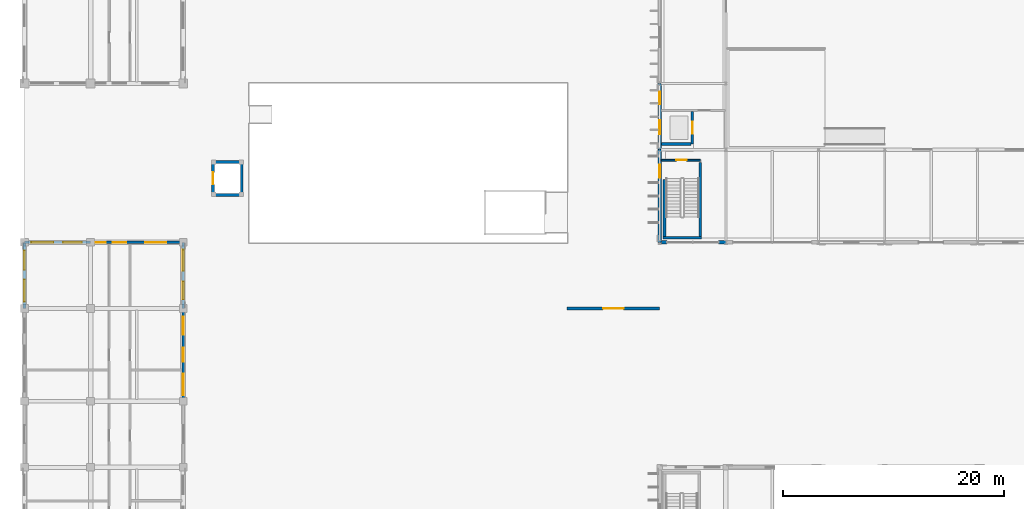
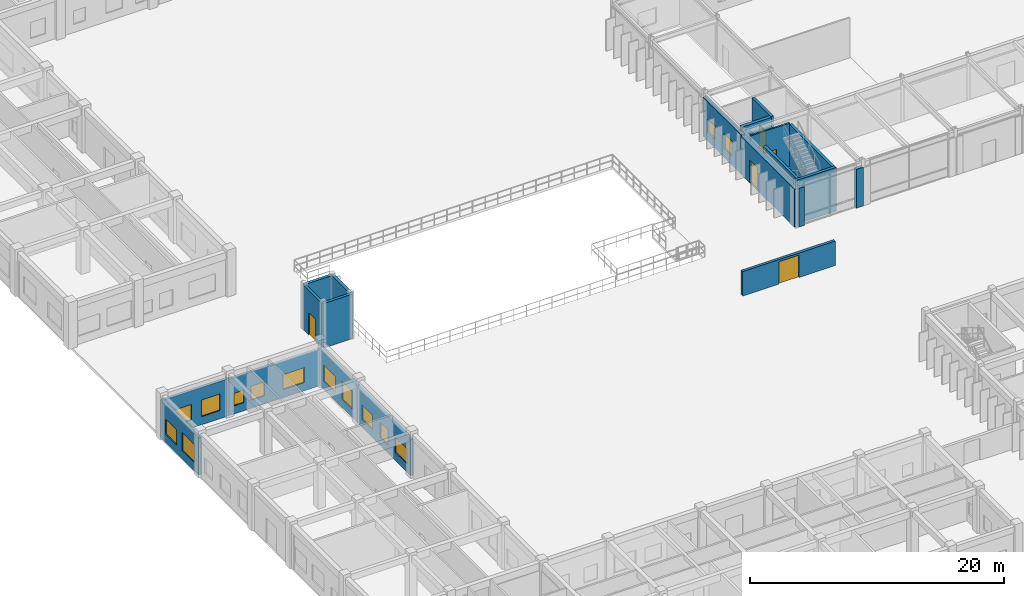
# One storey, part 30 of 67: 20 walls, 14 windows, 5 doors, 19 openings.
"""IFC4 building model written with IfcOpenShell, lengths in metres."""

from ifc_helpers import new_model, si_unit, direction, frame, frame_2d, origin, place, context, subcontext, project, spatial, rectangle, extrude, material, layer, layer_set, type_object, element, fill, save


model = new_model("IFC4")

# Units and contexts
model_context = context("Model", 3, precision=1e-05, world=origin(), true_north=direction((0.0, 1.0)))
body_context = subcontext(model_context, "Body", "Model", "MODEL_VIEW")
ifc_project = project(units=[si_unit("LENGTHUNIT", "METRE"), si_unit("AREAUNIT", "SQUARE_METRE"), si_unit("VOLUMEUNIT", "CUBIC_METRE"), si_unit("PLANEANGLEUNIT", "RADIAN"), si_unit("MASSUNIT", "GRAM", prefix="KILO"), si_unit("THERMODYNAMICTEMPERATUREUNIT", "KELVIN")], contexts=[model_context])

# Site, building, storey
site_placement = place(None, origin())
site = spatial("IfcSite", under=ifc_project, at=site_placement, CompositionType="ELEMENT")
building_placement = place(site_placement, origin())
building = spatial("IfcBuilding", under=site, at=building_placement, Name="Thalorik Housing Commons", CompositionType="ELEMENT")
storey_placement = place(building_placement, origin())
storey = spatial("IfcBuildingStorey", under=building, at=storey_placement, Name="L00", CompositionType="ELEMENT", Elevation=0.0)

# Walls
ifc_material_1 = material(Name="Concrete C40/50", Category="concrete")
ifc_layer_1 = layer(ifc_material_1, 0.25, Name="Concrete C40/50", Category="concrete")
ifc_layer_set_1 = layer_set([ifc_layer_1], Name="Concrete C40/50")
wall_type_1 = type_object("IfcWallType", Name="ARC-WAL-CORE-250", PredefinedType="SHEAR", material=ifc_layer_set_1)
wall_1_placement = place(storey_placement, frame((66.425048828125, 63.300048828125, 0.0), z_axis=(0.0, 0.0, 1.0), x_axis=(0.0, -1.0, 0.0)))
element("IfcWall", 1, at=wall_1_placement, inside=storey, type_object=wall_type_1, Name="L00 Stair ST-H1 Structural Support Wall L", PredefinedType="SHEAR", context=body_context, shape_type="SweptSolid", body=[
    extrude(rectangle(XDim=5.150146484375, YDim=0.25, at=frame_2d((2.5751953125, 0.0))), origin(), (0.0, 0.0, 1.0), 4.199951171875),
])
wall_2_placement = place(storey_placement, frame((69.675048828125, 64.85009765625, 0.0), z_axis=(0.0, 0.0, 1.0), x_axis=(0.0, -1.0, 0.0)))
element("IfcWall", 2, at=wall_2_placement, inside=storey, type_object=wall_type_1, Name="L00 Stair ST-H1 Structural Support Wall R", PredefinedType="SHEAR", context=body_context, shape_type="SweptSolid", body=[
    extrude(rectangle(XDim=6.7001953125, YDim=0.25, at=frame_2d((3.35009765625, 0.0))), origin(), (0.0, 0.0, 1.0), 4.199951171875),
])
wall_3_placement = place(storey_placement, frame((66.300048828125, 58.02490234375, 0.0), z_axis=(0.0, 0.0, 1.0), x_axis=(1.0, 0.0, 0.0)))
element("IfcWall", 3, at=wall_3_placement, inside=storey, type_object=wall_type_1, Name="L00 Stair ST-H1 Structural Support Wall F", PredefinedType="SHEAR", context=body_context, shape_type="SweptSolid", body=[
    extrude(rectangle(XDim=3.5, YDim=0.25, at=frame_2d((1.75, 0.0))), origin(), (0.0, 0.0, 1.0), 4.199951171875),
])

# Wall, opening, door
wall_4_placement = place(storey_placement, frame((68.949951171875, 66.5, 0.0), z_axis=(0.0, 0.0, 1.0), x_axis=(0.0, 1.0, 0.0)))
wall_4 = element("IfcWall", 4, at=wall_4_placement, inside=storey, type_object=wall_type_1, Name="L00 Lift LP-H1 Front Wall", PredefinedType="SHEAR", context=body_context, shape_type="SweptSolid", body=[
    extrude(rectangle(XDim=2.97412109375, YDim=0.25, at=frame_2d((1.487060546875, 0.0))), origin(), (0.0, 0.0, 1.0), 4.199951171875),
])
opening_1_placement = place(wall_4_placement, frame((0.949951171875, 0.0, 0.0)))
opening_1 = element("IfcOpeningElement", 5, at=opening_1_placement, cuts=wall_4, Name="Opening LD-LP-H1-L00", PredefinedType="OPENING", context=body_context, shape_type="SweptSolid", body=[
    extrude(rectangle(XDim=1.10009765625, YDim=2.14990234375, at=frame_2d((0.550048828125, 1.074951171875))), frame((0.0, 0.135009765625, 0.0), z_axis=(0.0, -1.0, 0.0), x_axis=(1.0, 0.0, 0.0)), (0.0, 0.0, 1.0), 0.27001953125),
])
ifc_material_2 = material(Name="Steel S355", Category="steel")
door_type_1 = type_object("IfcDoorType", Name="ARC-DR-LIFT-1100", OperationType="NOTDEFINED", PredefinedType="DOOR", material=ifc_material_2)
door_1_placement = place(opening_1_placement, origin())
door_1 = element("IfcDoor", 6, at=door_1_placement, inside=storey, type_object=door_type_1, Name="L00 Lift LP-H1 Landing Door", OperationType="SLIDING_TO_LEFT", OverallHeight=2.14990234375, OverallWidth=1.10009765625, PredefinedType="DOOR", context=body_context, shape_type="SweptSolid", body=[
    extrude(rectangle(XDim=1.10009765625, YDim=2.14990234375, at=frame_2d((0.550048828125, 1.074951171875))), frame((0.0, 0.02490234375, 0.0), z_axis=(0.0, -1.0, 0.0), x_axis=(1.0, 0.0, 0.0)), (0.0, 0.0, 1.0), 0.050048828125),
])
fill(opening_1, door_1)

# Wall
ifc_layer_2 = layer(ifc_material_1, 0.300048828125, Name="Concrete C40/50", Category="concrete")
ifc_layer_set_2 = layer_set([ifc_layer_2], Name="Concrete C40/50")
wall_type_2 = type_object("IfcWallType", Name="ARC-WAL-CORE-300", PredefinedType="SHEAR", material=ifc_layer_set_2)
wall_5_placement = place(storey_placement, frame((66.139892578125, 66.52001953125, 0.0), z_axis=(0.0, 0.0, 1.0), x_axis=(1.0, 0.0, 0.0)))
element("IfcWall", 7, at=wall_5_placement, inside=storey, type_object=wall_type_2, Name="L00 Lift LP-H1 South Shaft Wall", PredefinedType="SHEAR", context=body_context, shape_type="SweptSolid", body=[
    extrude(rectangle(XDim=2.68017578125, YDim=0.300048828125, at=frame_2d((1.340087890625, 0.0))), origin(), (0.0, 0.0, 1.0), 4.199951171875),
])

# Wall, openings, windows
ifc_material_3 = material(Name="White precast concrete C40/50", Category="concrete")
ifc_layer_3 = layer(ifc_material_3, 0.2451171875, Name="White precast concrete C40/50", Category="concrete")
ifc_layer_set_3 = layer_set([ifc_layer_3], Name="White precast concrete C40/50")
wall_type_3 = type_object("IfcWallType", Name="ARC-WAL-EXT-245", PredefinedType="STANDARD", material=ifc_layer_set_3)
wall_6_placement = place(storey_placement, frame((22.800048828125, 43.199951171875, 0.0), z_axis=(0.0, 0.0, 1.0), x_axis=(0.0, 1.0, 0.0)))
wall_6 = element("IfcWall", 8, at=wall_6_placement, inside=storey, type_object=wall_type_3, Name="L00 Exterior Wall WAL-EXT-L00-C-0824", PredefinedType="STANDARD", context=body_context, shape_type="SweptSolid", body=[
    extrude(rectangle(XDim=8.400146484375, YDim=0.2451171875, at=frame_2d((4.2001953125, 0.0))), origin(), (0.0, 0.0, 1.0), 3.485107421875),
])
opening_2_placement = place(wall_6_placement, frame((0.550048828125, 0.0, 0.780029296875)))
opening_2 = element("IfcOpeningElement", 9, at=opening_2_placement, cuts=wall_6, Name="Opening W-60", PredefinedType="OPENING", context=body_context, shape_type="SweptSolid", body=[
    extrude(rectangle(XDim=1.919921875, YDim=1.43994140625, at=frame_2d((0.9599609375, 0.719970703125))), frame((0.0, 0.132568359375, 0.0), z_axis=(0.0, -1.0, 0.0), x_axis=(1.0, 0.0, 0.0)), (0.0, 0.0, 1.0), 0.26513671875),
])
opening_3_placement = place(wall_6_placement, frame((3.5849609375, 0.0, 0.780029296875)))
opening_3 = element("IfcOpeningElement", 10, at=opening_3_placement, cuts=wall_6, Name="Opening W-47", PredefinedType="OPENING", context=body_context, shape_type="SweptSolid", body=[
    extrude(rectangle(XDim=1.25, YDim=1.449951171875, at=frame_2d((0.625, 0.72509765625))), frame((0.0, 0.132568359375, 0.0), z_axis=(0.0, -1.0, 0.0), x_axis=(1.0, 0.0, 0.0)), (0.0, 0.0, 1.0), 0.26513671875),
])
opening_4_placement = place(wall_6_placement, frame((6.02001953125, 0.0, 0.780029296875)))
opening_4 = element("IfcOpeningElement", 11, at=opening_4_placement, cuts=wall_6, Name="Opening W-54", PredefinedType="OPENING", context=body_context, shape_type="SweptSolid", body=[
    extrude(rectangle(XDim=1.6201171875, YDim=1.3798828125, at=frame_2d((0.81005859375, 0.68994140625))), frame((0.0, 0.132568359375, 0.0), z_axis=(0.0, -1.0, 0.0), x_axis=(1.0, 0.0, 0.0)), (0.0, 0.0, 1.0), 0.26513671875),
])
ifc_material_4 = material(Name="Anodised aluminium and solar-control low-E glass", Category="aluminium")
window_type_1 = type_object("IfcWindowType", Name="ARC-WIN-47", PartitioningType="SINGLE_PANEL", PredefinedType="WINDOW", material=ifc_material_4)
window_1_placement = place(opening_3_placement, origin())
window_1 = element("IfcWindow", 12, at=window_1_placement, inside=storey, type_object=window_type_1, Name="L00 Facade Window 1526", OverallHeight=1.449951171875, OverallWidth=1.25, PartitioningType="SINGLE_PANEL", PredefinedType="WINDOW", context=body_context, shape_type="SweptSolid", body=[
    extrude(rectangle(XDim=1.25, YDim=1.449951171875, at=frame_2d((0.625, 0.72509765625))), frame((0.0, 0.030029296875, 0.0), z_axis=(0.0, -1.0, 0.0), x_axis=(1.0, 0.0, 0.0)), (0.0, 0.0, 1.0), 0.06005859375),
])
fill(opening_3, window_1)
window_type_2 = type_object("IfcWindowType", Name="ARC-WIN-54", PartitioningType="DOUBLE_PANEL_VERTICAL", PredefinedType="WINDOW", material=ifc_material_4)
window_2_placement = place(opening_4_placement, origin())
window_2 = element("IfcWindow", 13, at=window_2_placement, inside=storey, type_object=window_type_2, Name="L00 Facade Window 1527", OverallHeight=1.3798828125, OverallWidth=1.6201171875, PartitioningType="DOUBLE_PANEL_VERTICAL", PredefinedType="WINDOW", context=body_context, shape_type="SweptSolid", body=[
    extrude(rectangle(XDim=1.6201171875, YDim=1.3798828125, at=frame_2d((0.81005859375, 0.68994140625))), frame((0.0, 0.030029296875, 0.0), z_axis=(0.0, -1.0, 0.0), x_axis=(1.0, 0.0, 0.0)), (0.0, 0.0, 1.0), 0.06005859375),
])
fill(opening_4, window_2)
window_type_3 = type_object("IfcWindowType", Name="ARC-WIN-60", PartitioningType="DOUBLE_PANEL_VERTICAL", PredefinedType="WINDOW", material=ifc_material_4)
window_3_placement = place(opening_2_placement, origin())
window_3 = element("IfcWindow", 14, at=window_3_placement, inside=storey, type_object=window_type_3, Name="L00 Facade Window 1525", OverallHeight=1.43994140625, OverallWidth=1.919921875, PartitioningType="DOUBLE_PANEL_VERTICAL", PredefinedType="WINDOW", context=body_context, shape_type="SweptSolid", body=[
    extrude(rectangle(XDim=1.919921875, YDim=1.43994140625, at=frame_2d((0.9599609375, 0.719970703125))), frame((0.0, 0.030029296875, 0.0), z_axis=(0.0, -1.0, 0.0), x_axis=(1.0, 0.0, 0.0)), (0.0, 0.0, 1.0), 0.06005859375),
])
fill(opening_2, window_3)

wall_7_placement = place(storey_placement, frame((22.800048828125, 51.60009765625, 0.0), z_axis=(0.0, 0.0, 1.0), x_axis=(0.0, 1.0, 0.0)))
wall_7 = element("IfcWall", 15, at=wall_7_placement, inside=storey, type_object=wall_type_3, Name="L00 Exterior Wall WAL-EXT-L00-C-0825", PredefinedType="STANDARD", context=body_context, shape_type="SweptSolid", body=[
    extrude(rectangle(XDim=6.0, YDim=0.2451171875, at=frame_2d((3.0, 0.0))), origin(), (0.0, 0.0, 1.0), 3.5849609375),
])
opening_5_placement = place(wall_7_placement, frame((0.830078125, 0.0, 0.780029296875)))
opening_5 = element("IfcOpeningElement", 16, at=opening_5_placement, cuts=wall_7, Name="Opening W-14", PredefinedType="OPENING", context=body_context, shape_type="SweptSolid", body=[
    extrude(rectangle(XDim=1.60009765625, YDim=1.75, at=frame_2d((0.800048828125, 0.875))), frame((0.0, 0.132568359375, 0.0), z_axis=(0.0, -1.0, 0.0), x_axis=(1.0, 0.0, 0.0)), (0.0, 0.0, 1.0), 0.26513671875),
])
opening_6_placement = place(wall_7_placement, frame((3.419921875, 0.0, 0.780029296875)))
opening_6 = element("IfcOpeningElement", 17, at=opening_6_placement, cuts=wall_7, Name="Opening W-21", PredefinedType="OPENING", context=body_context, shape_type="SweptSolid", body=[
    extrude(rectangle(XDim=1.89990234375, YDim=1.550048828125, at=frame_2d((0.949951171875, 0.77490234375))), frame((0.0, 0.132568359375, 0.0), z_axis=(0.0, -1.0, 0.0), x_axis=(1.0, 0.0, 0.0)), (0.0, 0.0, 1.0), 0.26513671875),
])
window_type_4 = type_object("IfcWindowType", Name="ARC-WIN-14", PartitioningType="DOUBLE_PANEL_VERTICAL", PredefinedType="WINDOW", material=ifc_material_4)
window_4_placement = place(opening_5_placement, origin())
window_4 = element("IfcWindow", 18, at=window_4_placement, inside=storey, type_object=window_type_4, Name="L00 Facade Window 1528", OverallHeight=1.75, OverallWidth=1.60009765625, PartitioningType="DOUBLE_PANEL_VERTICAL", PredefinedType="WINDOW", context=body_context, shape_type="SweptSolid", body=[
    extrude(rectangle(XDim=1.60009765625, YDim=1.75, at=frame_2d((0.800048828125, 0.875))), frame((0.0, 0.030029296875, 0.0), z_axis=(0.0, -1.0, 0.0), x_axis=(1.0, 0.0, 0.0)), (0.0, 0.0, 1.0), 0.06005859375),
])
fill(opening_5, window_4)
window_type_5 = type_object("IfcWindowType", Name="ARC-WIN-21", PartitioningType="DOUBLE_PANEL_VERTICAL", PredefinedType="WINDOW", material=ifc_material_4)
window_5_placement = place(opening_6_placement, origin())
window_5 = element("IfcWindow", 19, at=window_5_placement, inside=storey, type_object=window_type_5, Name="L00 Facade Window 1529", OverallHeight=1.550048828125, OverallWidth=1.89990234375, PartitioningType="DOUBLE_PANEL_VERTICAL", PredefinedType="WINDOW", context=body_context, shape_type="SweptSolid", body=[
    extrude(rectangle(XDim=1.89990234375, YDim=1.550048828125, at=frame_2d((0.949951171875, 0.77490234375))), frame((0.0, 0.030029296875, 0.0), z_axis=(0.0, -1.0, 0.0), x_axis=(1.0, 0.0, 0.0)), (0.0, 0.0, 1.0), 0.06005859375),
])
fill(opening_6, window_5)

wall_8_placement = place(storey_placement, frame((22.800048828125, 57.60009765625, 0.0), z_axis=(0.0, 0.0, 1.0), x_axis=(-1.0, 0.0, 0.0)))
wall_8 = element("IfcWall", 20, at=wall_8_placement, inside=storey, type_object=wall_type_3, Name="L00 Exterior Wall WAL-EXT-L00-C-0826", PredefinedType="STANDARD", context=body_context, shape_type="SweptSolid", body=[
    extrude(rectangle(XDim=8.400146484375, YDim=0.2451171875, at=frame_2d((4.2001953125, 0.0))), origin(), (0.0, 0.0, 1.0), 3.485107421875),
])
opening_7_placement = place(wall_8_placement, frame((1.544921875, 0.0, 0.780029296875)))
opening_7 = element("IfcOpeningElement", 21, at=opening_7_placement, cuts=wall_8, Name="Opening W-60", PredefinedType="OPENING", context=body_context, shape_type="SweptSolid", body=[
    extrude(rectangle(XDim=1.919921875, YDim=1.43994140625, at=frame_2d((0.9599609375, 0.719970703125))), frame((0.0, 0.132568359375, 0.0), z_axis=(0.0, -1.0, 0.0), x_axis=(1.0, 0.0, 0.0)), (0.0, 0.0, 1.0), 0.26513671875),
])
opening_8_placement = place(wall_8_placement, frame((5.169921875, 0.0, 0.780029296875)))
opening_8 = element("IfcOpeningElement", 22, at=opening_8_placement, cuts=wall_8, Name="Opening W-04", PredefinedType="OPENING", context=body_context, shape_type="SweptSolid", body=[
    extrude(rectangle(XDim=1.199951171875, YDim=1.35009765625, at=frame_2d((0.60009765625, 0.675048828125))), frame((0.0, 0.132568359375, 0.0), z_axis=(0.0, -1.0, 0.0), x_axis=(1.0, 0.0, 0.0)), (0.0, 0.0, 1.0), 0.26513671875),
])
opening_9_placement = place(wall_8_placement, frame((7.014892578125, 0.0, 0.780029296875)))
opening_9 = element("IfcOpeningElement", 23, at=opening_9_placement, cuts=wall_8, Name="Opening W-01", PredefinedType="OPENING", context=body_context, shape_type="SweptSolid", body=[
    extrude(rectangle(XDim=0.89990234375, YDim=1.199951171875, at=frame_2d((0.449951171875, 0.60009765625))), frame((0.0, 0.132568359375, 0.0), z_axis=(0.0, -1.0, 0.0), x_axis=(1.0, 0.0, 0.0)), (0.0, 0.0, 1.0), 0.26513671875),
])
window_type_6 = type_object("IfcWindowType", Name="ARC-WIN-01", PartitioningType="SINGLE_PANEL", PredefinedType="WINDOW", material=ifc_material_4)
window_6_placement = place(opening_9_placement, origin())
window_6 = element("IfcWindow", 24, at=window_6_placement, inside=storey, type_object=window_type_6, Name="L00 Facade Window 1532", OverallHeight=1.199951171875, OverallWidth=0.89990234375, PartitioningType="SINGLE_PANEL", PredefinedType="WINDOW", context=body_context, shape_type="SweptSolid", body=[
    extrude(rectangle(XDim=0.89990234375, YDim=1.199951171875, at=frame_2d((0.449951171875, 0.60009765625))), frame((0.0, 0.030029296875, 0.0), z_axis=(0.0, -1.0, 0.0), x_axis=(1.0, 0.0, 0.0)), (0.0, 0.0, 1.0), 0.06005859375),
])
fill(opening_9, window_6)
window_type_7 = type_object("IfcWindowType", Name="ARC-WIN-04", PartitioningType="SINGLE_PANEL", PredefinedType="WINDOW", material=ifc_material_4)
window_7_placement = place(opening_8_placement, origin())
window_7 = element("IfcWindow", 25, at=window_7_placement, inside=storey, type_object=window_type_7, Name="L00 Facade Window 1531", OverallHeight=1.35009765625, OverallWidth=1.199951171875, PartitioningType="SINGLE_PANEL", PredefinedType="WINDOW", context=body_context, shape_type="SweptSolid", body=[
    extrude(rectangle(XDim=1.199951171875, YDim=1.35009765625, at=frame_2d((0.60009765625, 0.675048828125))), frame((0.0, 0.030029296875, 0.0), z_axis=(0.0, -1.0, 0.0), x_axis=(1.0, 0.0, 0.0)), (0.0, 0.0, 1.0), 0.06005859375),
])
fill(opening_8, window_7)
window_8_placement = place(opening_7_placement, origin())
window_8 = element("IfcWindow", 26, at=window_8_placement, inside=storey, type_object=window_type_3, Name="L00 Facade Window 1530", OverallHeight=1.43994140625, OverallWidth=1.919921875, PartitioningType="DOUBLE_PANEL_VERTICAL", PredefinedType="WINDOW", context=body_context, shape_type="SweptSolid", body=[
    extrude(rectangle(XDim=1.919921875, YDim=1.43994140625, at=frame_2d((0.9599609375, 0.719970703125))), frame((0.0, 0.030029296875, 0.0), z_axis=(0.0, -1.0, 0.0), x_axis=(1.0, 0.0, 0.0)), (0.0, 0.0, 1.0), 0.06005859375),
])
fill(opening_7, window_8)

wall_9_placement = place(storey_placement, frame((14.39990234375, 57.60009765625, 0.0), z_axis=(0.0, 0.0, 1.0), x_axis=(-1.0, 0.0, 0.0)))
wall_9 = element("IfcWall", 27, at=wall_9_placement, inside=storey, type_object=wall_type_3, Name="L00 Exterior Wall WAL-EXT-L00-C-0827", PredefinedType="STANDARD", context=body_context, shape_type="SweptSolid", body=[
    extrude(rectangle(XDim=6.0, YDim=0.2451171875, at=frame_2d((3.0, 0.0))), origin(), (0.0, 0.0, 1.0), 3.5849609375),
])
opening_10_placement = place(wall_9_placement, frame((0.780029296875, 0.0, 0.780029296875)))
opening_10 = element("IfcOpeningElement", 28, at=opening_10_placement, cuts=wall_9, Name="Opening W-16", PredefinedType="OPENING", context=body_context, shape_type="SweptSolid", body=[
    extrude(rectangle(XDim=1.699951171875, YDim=1.60009765625, at=frame_2d((0.85009765625, 0.800048828125))), frame((0.0, 0.132568359375, 0.0), z_axis=(0.0, -1.0, 0.0), x_axis=(1.0, 0.0, 0.0)), (0.0, 0.0, 1.0), 0.26513671875),
])
opening_11_placement = place(wall_9_placement, frame((3.3701171875, 0.0, 0.780029296875)))
opening_11 = element("IfcOpeningElement", 29, at=opening_11_placement, cuts=wall_9, Name="Opening W-23", PredefinedType="OPENING", context=body_context, shape_type="SweptSolid", body=[
    extrude(rectangle(XDim=2.0, YDim=1.5, at=frame_2d((1.0, 0.75))), frame((0.0, 0.132568359375, 0.0), z_axis=(0.0, -1.0, 0.0), x_axis=(1.0, 0.0, 0.0)), (0.0, 0.0, 1.0), 0.26513671875),
])
window_type_8 = type_object("IfcWindowType", Name="ARC-WIN-16", PartitioningType="DOUBLE_PANEL_VERTICAL", PredefinedType="WINDOW", material=ifc_material_4)
window_9_placement = place(opening_10_placement, origin())
window_9 = element("IfcWindow", 30, at=window_9_placement, inside=storey, type_object=window_type_8, Name="L00 Facade Window 1533", OverallHeight=1.60009765625, OverallWidth=1.699951171875, PartitioningType="DOUBLE_PANEL_VERTICAL", PredefinedType="WINDOW", context=body_context, shape_type="SweptSolid", body=[
    extrude(rectangle(XDim=1.699951171875, YDim=1.60009765625, at=frame_2d((0.85009765625, 0.800048828125))), frame((0.0, 0.030029296875, 0.0), z_axis=(0.0, -1.0, 0.0), x_axis=(1.0, 0.0, 0.0)), (0.0, 0.0, 1.0), 0.06005859375),
])
fill(opening_10, window_9)
window_type_9 = type_object("IfcWindowType", Name="ARC-WIN-23", PartitioningType="DOUBLE_PANEL_VERTICAL", PredefinedType="WINDOW", material=ifc_material_4)
window_10_placement = place(opening_11_placement, origin())
window_10 = element("IfcWindow", 31, at=window_10_placement, inside=storey, type_object=window_type_9, Name="L00 Facade Window 1534", OverallHeight=1.5, OverallWidth=2.0, PartitioningType="DOUBLE_PANEL_VERTICAL", PredefinedType="WINDOW", context=body_context, shape_type="SweptSolid", body=[
    extrude(rectangle(XDim=2.0, YDim=1.5, at=frame_2d((1.0, 0.75))), frame((0.0, 0.030029296875, 0.0), z_axis=(0.0, -1.0, 0.0), x_axis=(1.0, 0.0, 0.0)), (0.0, 0.0, 1.0), 0.06005859375),
])
fill(opening_11, window_10)

wall_10_placement = place(storey_placement, frame((8.39990234375, 57.60009765625, 0.0), z_axis=(0.0, 0.0, 1.0), x_axis=(0.0, -1.0, 0.0)))
wall_10 = element("IfcWall", 32, at=wall_10_placement, inside=storey, type_object=wall_type_3, Name="L00 Exterior Wall WAL-EXT-L00-C-0828", PredefinedType="STANDARD", context=body_context, shape_type="SweptSolid", body=[
    extrude(rectangle(XDim=6.0, YDim=0.2451171875, at=frame_2d((3.0, 0.0))), origin(), (0.0, 0.0, 1.0), 3.5849609375),
])
opening_12_placement = place(wall_10_placement, frame((0.7548828125, 0.0, 0.780029296875)))
opening_12 = element("IfcOpeningElement", 33, at=opening_12_placement, cuts=wall_10, Name="Opening W-17", PredefinedType="OPENING", context=body_context, shape_type="SweptSolid", body=[
    extrude(rectangle(XDim=1.75, YDim=1.449951171875, at=frame_2d((0.875, 0.72509765625))), frame((0.0, 0.132568359375, 0.0), z_axis=(0.0, -1.0, 0.0), x_axis=(1.0, 0.0, 0.0)), (0.0, 0.0, 1.0), 0.26513671875),
])
opening_13_placement = place(wall_10_placement, frame((3.3701171875, 0.0, 0.780029296875)))
opening_13 = element("IfcOpeningElement", 34, at=opening_13_placement, cuts=wall_10, Name="Opening W-24", PredefinedType="OPENING", context=body_context, shape_type="SweptSolid", body=[
    extrude(rectangle(XDim=2.0, YDim=1.75, at=frame_2d((1.0, 0.875))), frame((0.0, 0.132568359375, 0.0), z_axis=(0.0, -1.0, 0.0), x_axis=(1.0, 0.0, 0.0)), (0.0, 0.0, 1.0), 0.26513671875),
])
window_type_10 = type_object("IfcWindowType", Name="ARC-WIN-17", PartitioningType="DOUBLE_PANEL_VERTICAL", PredefinedType="WINDOW", material=ifc_material_4)
window_11_placement = place(opening_12_placement, origin())
window_11 = element("IfcWindow", 35, at=window_11_placement, inside=storey, type_object=window_type_10, Name="L00 Facade Window 1535", OverallHeight=1.449951171875, OverallWidth=1.75, PartitioningType="DOUBLE_PANEL_VERTICAL", PredefinedType="WINDOW", context=body_context, shape_type="SweptSolid", body=[
    extrude(rectangle(XDim=1.75, YDim=1.449951171875, at=frame_2d((0.875, 0.72509765625))), frame((0.0, 0.030029296875, 0.0), z_axis=(0.0, -1.0, 0.0), x_axis=(1.0, 0.0, 0.0)), (0.0, 0.0, 1.0), 0.06005859375),
])
fill(opening_12, window_11)
window_type_11 = type_object("IfcWindowType", Name="ARC-WIN-24", PartitioningType="DOUBLE_PANEL_VERTICAL", PredefinedType="WINDOW", material=ifc_material_4)
window_12_placement = place(opening_13_placement, origin())
window_12 = element("IfcWindow", 36, at=window_12_placement, inside=storey, type_object=window_type_11, Name="L00 Facade Window 1536", OverallHeight=1.75, OverallWidth=2.0, PartitioningType="DOUBLE_PANEL_VERTICAL", PredefinedType="WINDOW", context=body_context, shape_type="SweptSolid", body=[
    extrude(rectangle(XDim=2.0, YDim=1.75, at=frame_2d((1.0, 0.875))), frame((0.0, 0.030029296875, 0.0), z_axis=(0.0, -1.0, 0.0), x_axis=(1.0, 0.0, 0.0)), (0.0, 0.0, 1.0), 0.06005859375),
])
fill(opening_13, window_12)

# Wall, opening, door
wall_11_placement = place(storey_placement, frame((57.60009765625, 51.60009765625, 0.0), z_axis=(0.0, 0.0, 1.0), x_axis=(1.0, 0.0, 0.0)))
wall_11 = element("IfcWall", 37, at=wall_11_placement, inside=storey, type_object=wall_type_3, Name="L00 Exterior Wall WAL-L00-CGATE-01", PredefinedType="STANDARD", context=body_context, shape_type="SweptSolid", body=[
    extrude(rectangle(XDim=8.39990234375, YDim=0.2451171875, at=frame_2d((4.199951171875, 0.0))), origin(), (0.0, 0.0, 1.0), 2.35009765625),
])
opening_14_placement = place(wall_11_placement, frame((3.27490234375, 0.0, 0.0)))
opening_14 = element("IfcOpeningElement", 38, at=opening_14_placement, cuts=wall_11, Name="Opening ED-0455", PredefinedType="OPENING", context=body_context, shape_type="SweptSolid", body=[
    extrude(rectangle(XDim=1.85009765625, YDim=2.14990234375, at=frame_2d((0.925048828125, 1.074951171875))), frame((0.0, 0.132568359375, 0.0), z_axis=(0.0, -1.0, 0.0), x_axis=(1.0, 0.0, 0.0)), (0.0, 0.0, 1.0), 0.26513671875),
])
door_type_2 = type_object("IfcDoorType", Name="ARC-GT-COURT-1850", OperationType="NOTDEFINED", PredefinedType="GATE", material=ifc_material_2)
door_2_placement = place(opening_14_placement, frame((1.85009765625, 0.0, 0.0), z_axis=(0.0, 0.0, 1.0), x_axis=(-1.0, 0.0, 0.0)))
door_2 = element("IfcDoor", 39, at=door_2_placement, inside=storey, type_object=door_type_2, Name="L00 Courtyard Access Gate 1", OperationType="DOUBLE_DOOR_SINGLE_SWING", OverallHeight=2.14990234375, OverallWidth=1.85009765625, PredefinedType="GATE", context=body_context, shape_type="SweptSolid", body=[
    extrude(rectangle(XDim=1.85009765625, YDim=2.14990234375, at=frame_2d((0.925048828125, 1.074951171875))), frame((0.0, 0.02490234375, 0.0), z_axis=(0.0, -1.0, 0.0), x_axis=(1.0, 0.0, 0.0)), (0.0, 0.0, 1.0), 0.050048828125),
])
fill(opening_14, door_2)

ifc_layer_4 = layer(ifc_material_3, 0.2548828125, Name="White precast concrete C40/50", Category="concrete")
ifc_layer_set_4 = layer_set([ifc_layer_4], Name="White precast concrete C40/50")
wall_type_4 = type_object("IfcWallType", Name="ARC-WAL-EXT-255", PredefinedType="STANDARD", material=ifc_layer_set_4)
wall_12_placement = place(storey_placement, frame((25.5, 64.89990234375, 0.0), z_axis=(0.0, 0.0, 1.0), x_axis=(0.0, -1.0, 0.0)))
wall_12 = element("IfcWall", 40, at=wall_12_placement, inside=storey, type_object=wall_type_4, Name="L00 Metro Lift West Wall", PredefinedType="STANDARD", context=body_context, shape_type="SweptSolid", body=[
    extrude(rectangle(XDim=3.0, YDim=0.2548828125, at=frame_2d((1.5, 0.0))), origin(), (0.0, 0.0, 1.0), 4.280029296875),
])
opening_15_placement = place(wall_12_placement, frame((0.949951171875, 0.0, 0.0)))
opening_15 = element("IfcOpeningElement", 41, at=opening_15_placement, cuts=wall_12, Name="Opening LD-LP-M1-L00", PredefinedType="OPENING", context=body_context, shape_type="SweptSolid", body=[
    extrude(rectangle(XDim=1.10009765625, YDim=2.14990234375, at=frame_2d((0.550048828125, 1.074951171875))), frame((0.0, 0.137451171875, 0.0), z_axis=(0.0, -1.0, 0.0), x_axis=(1.0, 0.0, 0.0)), (0.0, 0.0, 1.0), 0.27490234375),
])
door_3_placement = place(opening_15_placement, frame((1.10009765625, 0.0, 0.0), z_axis=(0.0, 0.0, 1.0), x_axis=(-1.0, 0.0, 0.0)))
door_3 = element("IfcDoor", 42, at=door_3_placement, inside=storey, type_object=door_type_1, Name="L00 Lift LP-M1 Landing Door", OperationType="SLIDING_TO_LEFT", OverallHeight=2.14990234375, OverallWidth=1.10009765625, PredefinedType="DOOR", context=body_context, shape_type="SweptSolid", body=[
    extrude(rectangle(XDim=1.10009765625, YDim=2.14990234375, at=frame_2d((0.550048828125, 1.074951171875))), frame((0.0, 0.02490234375, 0.0), z_axis=(0.0, -1.0, 0.0), x_axis=(1.0, 0.0, 0.0)), (0.0, 0.0, 1.0), 0.050048828125),
])
fill(opening_15, door_3)

# Walls
for number, where, z_axis, x_axis, name in (
    (43, (25.5, 61.89990234375, 0.0), (0.0, 0.0, 1.0), (1.0, 0.0, 0.0), "L00 Metro Lift South Wall"),
    (44, (28.10009765625, 64.89990234375, 0.0), (0.0, 0.0, 1.0), (-1.0, 0.0, 0.0), "L00 Metro Lift North Wall"),
):
    element("IfcWall", number, at=place(storey_placement, frame(where, z_axis=z_axis, x_axis=x_axis)), inside=storey, type_object=wall_type_4, Name=name, PredefinedType="STANDARD", context=body_context, shape_type="SweptSolid", body=[
        extrude(rectangle(XDim=2.60009765625, YDim=0.2548828125, at=frame_2d((1.300048828125, 0.0))), origin(), (0.0, 0.0, 1.0), 4.280029296875),
    ])
wall_13_placement = place(storey_placement, frame((28.10009765625, 61.89990234375, 0.0), z_axis=(0.0, 0.0, 1.0), x_axis=(0.0, 1.0, 0.0)))
element("IfcWall", 45, at=wall_13_placement, inside=storey, type_object=wall_type_4, Name="L00 Metro Lift East Front Wall", PredefinedType="STANDARD", context=body_context, shape_type="SweptSolid", body=[
    extrude(rectangle(XDim=3.0, YDim=0.2548828125, at=frame_2d((1.5, 0.0))), origin(), (0.0, 0.0, 1.0), 4.280029296875),
])
ifc_layer_5 = layer(ifc_material_3, 0.320068359375, Name="White precast concrete C40/50", Category="concrete")
ifc_layer_set_5 = layer_set([ifc_layer_5], Name="White precast concrete C40/50")
wall_type_5 = type_object("IfcWallType", Name="ARC-WAL-EXT-320", PredefinedType="STANDARD", material=ifc_layer_set_5)
wall_14_placement = place(storey_placement, frame((66.162109375, 57.60009765625, 0.0), z_axis=(0.0, 0.0, 1.0), x_axis=(1.0, 0.0, 0.0)))
element("IfcWall", 46, at=wall_14_placement, inside=storey, type_object=wall_type_5, Name="L00 Exterior Wall WAL-HALLPL-L00-1279", PredefinedType="STANDARD", context=body_context, shape_type="SweptSolid", body=[
    extrude(rectangle(XDim=0.48779296875, YDim=0.320068359375, at=frame_2d((0.243896484375, 0.0))), origin(), (0.0, 0.0, 1.0), 3.721923828125),
])
wall_15_placement = place(storey_placement, frame((71.35009765625, 57.60009765625, 0.0), z_axis=(0.0, 0.0, 1.0), x_axis=(1.0, 0.0, 0.0)))
element("IfcWall", 47, at=wall_15_placement, inside=storey, type_object=wall_type_5, Name="L00 Exterior Wall WAL-HALLPR-L00-1279", PredefinedType="STANDARD", context=body_context, shape_type="SweptSolid", body=[
    extrude(rectangle(XDim=0.64990234375, YDim=0.320068359375, at=frame_2d((0.324951171875, 0.0))), origin(), (0.0, 0.0, 1.0), 3.721923828125),
])

# Wall, openings, windows
wall_16_placement = place(storey_placement, frame((66.0, 72.0, 0.0), z_axis=(0.0, 0.0, 1.0), x_axis=(0.0, -1.0, 0.0)))
wall_16 = element("IfcWall", 48, at=wall_16_placement, inside=storey, type_object=wall_type_5, Name="L00 Exterior Wall WAL-HALL-L00-1299", PredefinedType="STANDARD", context=body_context, shape_type="SweptSolid", body=[
    extrude(rectangle(XDim=6.0, YDim=0.320068359375, at=frame_2d((3.0, 0.0))), origin(), (0.0, 0.0, 1.0), 3.77197265625),
])
opening_16_placement = place(wall_16_placement, frame((0.7451171875, 0.0, 0.85009765625)))
opening_16 = element("IfcOpeningElement", 49, at=opening_16_placement, cuts=wall_16, Name="Opening W-45", PredefinedType="OPENING", context=body_context, shape_type="SweptSolid", body=[
    extrude(rectangle(XDim=1.14990234375, YDim=1.25, at=frame_2d((0.574951171875, 0.625))), frame((0.0, 0.169921875, 0.0), z_axis=(0.0, -1.0, 0.0), x_axis=(1.0, 0.0, 0.0)), (0.0, 0.0, 1.0), 0.340087890625),
])
opening_17_placement = place(wall_16_placement, frame((3.340087890625, 0.0, 0.85009765625)))
opening_17 = element("IfcOpeningElement", 50, at=opening_17_placement, cuts=wall_16, Name="Opening W-47", PredefinedType="OPENING", context=body_context, shape_type="SweptSolid", body=[
    extrude(rectangle(XDim=1.25, YDim=1.449951171875, at=frame_2d((0.625, 0.72509765625))), frame((0.0, 0.169921875, 0.0), z_axis=(0.0, -1.0, 0.0), x_axis=(1.0, 0.0, 0.0)), (0.0, 0.0, 1.0), 0.340087890625),
])
window_type_12 = type_object("IfcWindowType", Name="ARC-WIN-45", PartitioningType="SINGLE_PANEL", PredefinedType="WINDOW", material=ifc_material_4)
window_13_placement = place(opening_16_placement, origin())
window_13 = element("IfcWindow", 51, at=window_13_placement, inside=storey, type_object=window_type_12, Name="L00 Facade Window 2341", OverallHeight=1.25, OverallWidth=1.14990234375, PartitioningType="SINGLE_PANEL", PredefinedType="WINDOW", context=body_context, shape_type="SweptSolid", body=[
    extrude(rectangle(XDim=1.14990234375, YDim=1.25, at=frame_2d((0.574951171875, 0.625))), frame((0.0, 0.030029296875, 0.0), z_axis=(0.0, -1.0, 0.0), x_axis=(1.0, 0.0, 0.0)), (0.0, 0.0, 1.0), 0.06005859375),
])
fill(opening_16, window_13)
window_14_placement = place(opening_17_placement, origin())
window_14 = element("IfcWindow", 52, at=window_14_placement, inside=storey, type_object=window_type_1, Name="L00 Facade Window 2342", OverallHeight=1.449951171875, OverallWidth=1.25, PartitioningType="SINGLE_PANEL", PredefinedType="WINDOW", context=body_context, shape_type="SweptSolid", body=[
    extrude(rectangle(XDim=1.25, YDim=1.449951171875, at=frame_2d((0.625, 0.72509765625))), frame((0.0, 0.030029296875, 0.0), z_axis=(0.0, -1.0, 0.0), x_axis=(1.0, 0.0, 0.0)), (0.0, 0.0, 1.0), 0.06005859375),
])
fill(opening_17, window_14)

# Wall, opening, door
wall_17_placement = place(storey_placement, frame((66.0, 66.0, 0.0), z_axis=(0.0, 0.0, 1.0), x_axis=(0.0, -1.0, 0.0)))
wall_17 = element("IfcWall", 53, at=wall_17_placement, inside=storey, type_object=wall_type_5, Name="L00 Exterior Wall WAL-HALL-L00-1300", PredefinedType="STANDARD", context=body_context, shape_type="SweptSolid", body=[
    extrude(rectangle(XDim=8.39990234375, YDim=0.320068359375, at=frame_2d((4.199951171875, 0.0))), origin(), (0.0, 0.0, 1.0), 3.64990234375),
])
opening_18_placement = place(wall_17_placement, frame((1.35009765625, 0.0, 0.0)))
opening_18 = element("IfcOpeningElement", 54, at=opening_18_placement, cuts=wall_17, Name="Opening ED-0441", PredefinedType="OPENING", context=body_context, shape_type="SweptSolid", body=[
    extrude(rectangle(XDim=1.199951171875, YDim=2.199951171875, at=frame_2d((0.60009765625, 1.10009765625))), frame((0.0, 0.169921875, 0.0), z_axis=(0.0, -1.0, 0.0), x_axis=(1.0, 0.0, 0.0)), (0.0, 0.0, 1.0), 0.340087890625),
])
ifc_material_5 = material(Name="Anodised aluminium and laminated safety glass", Category="aluminium")
door_type_3 = type_object("IfcDoorType", Name="ARC-DR-EXT-EXIT-1200", OperationType="NOTDEFINED", PredefinedType="DOOR", material=ifc_material_5)
door_4_placement = place(opening_18_placement, frame((1.199951171875, 0.0, 0.0), z_axis=(0.0, 0.0, 1.0), x_axis=(-1.0, 0.0, 0.0)))
door_4 = element("IfcDoor", 55, at=door_4_placement, inside=storey, type_object=door_type_3, Name="L00 Stair ST-H1 Exterior Exit Door", OperationType="SINGLE_SWING_RIGHT", OverallHeight=2.199951171875, OverallWidth=1.199951171875, PredefinedType="DOOR", context=body_context, shape_type="SweptSolid", body=[
    extrude(rectangle(XDim=1.199951171875, YDim=2.199951171875, at=frame_2d((0.60009765625, 1.10009765625))), frame((0.0, 0.02490234375, 0.0), z_axis=(0.0, -1.0, 0.0), x_axis=(1.0, 0.0, 0.0)), (0.0, 0.0, 1.0), 0.050048828125),
])
fill(opening_18, door_4)

ifc_material_6 = material(Name="Ceramic masonry partition wall", Category="masonry")
ifc_layer_6 = layer(ifc_material_6, 0.14794921875, Name="Ceramic masonry partition wall", Category="masonry")
ifc_layer_set_6 = layer_set([ifc_layer_6], Name="Ceramic masonry partition wall")
wall_type_6 = type_object("IfcWallType", Name="ARC-WAL-PART-150", PredefinedType="PARTITIONING", material=ifc_layer_set_6)
wall_18_placement = place(storey_placement, frame((66.139892578125, 65.050048828125, 0.0), z_axis=(0.0, 0.0, 1.0), x_axis=(1.0, 0.0, 0.0)))
wall_18 = element("IfcWall", 56, at=wall_18_placement, inside=storey, type_object=wall_type_6, Name="L00 Hall West Stair North Wall", PredefinedType="PARTITIONING", context=body_context, shape_type="SweptSolid", body=[
    extrude(rectangle(XDim=3.5400390625, YDim=0.14794921875, at=frame_2d((1.77001953125, 0.0))), origin(), (0.0, 0.0, 1.0), 4.199951171875),
])
opening_19_placement = place(wall_18_placement, frame((1.35009765625, 0.0, 0.0)))
opening_19 = element("IfcOpeningElement", 57, at=opening_19_placement, cuts=wall_18, Name="Opening ID-2181", PredefinedType="OPENING", context=body_context, shape_type="SweptSolid", body=[
    extrude(rectangle(XDim=0.949951171875, YDim=2.10009765625, at=frame_2d((0.47509765625, 1.050048828125))), frame((0.0, 0.083984375, 0.0), z_axis=(0.0, -1.0, 0.0), x_axis=(1.0, 0.0, 0.0)), (0.0, 0.0, 1.0), 0.16796875),
])
door_type_4 = type_object("IfcDoorType", Name="ARC-DR-FD60-950", OperationType="NOTDEFINED", PredefinedType="DOOR", material=ifc_material_2)
door_5_placement = place(opening_19_placement, origin())
door_5 = element("IfcDoor", 58, at=door_5_placement, inside=storey, type_object=door_type_4, Name="L00 Stair ST-H1 Fire Door", OperationType="SINGLE_SWING_LEFT", OverallHeight=2.10009765625, OverallWidth=0.949951171875, PredefinedType="DOOR", context=body_context, shape_type="SweptSolid", body=[
    extrude(rectangle(XDim=0.949951171875, YDim=2.10009765625, at=frame_2d((0.47509765625, 1.050048828125))), frame((0.0, 0.02490234375, 0.0), z_axis=(0.0, -1.0, 0.0), x_axis=(1.0, 0.0, 0.0)), (0.0, 0.0, 1.0), 0.050048828125),
])
fill(opening_19, door_5)

save(model, "model.ifc")
